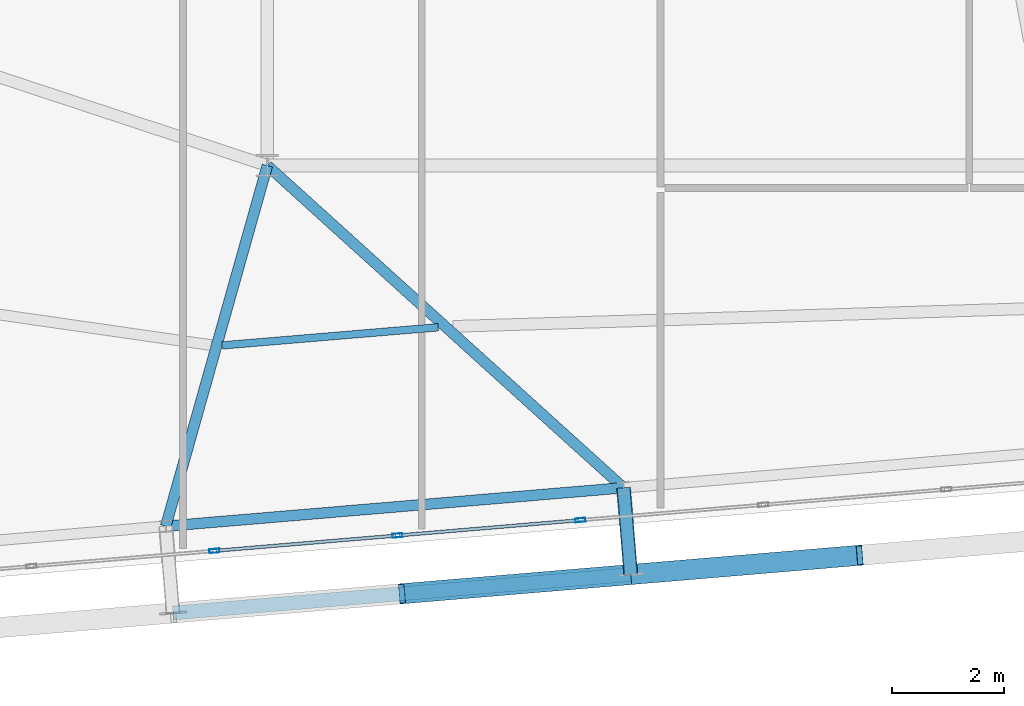
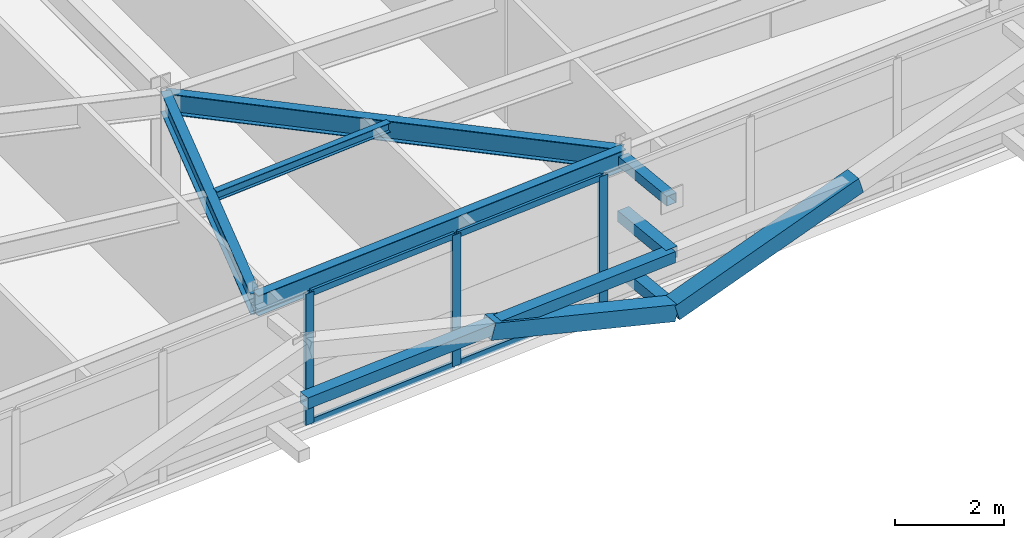
# One storey, part 11 of 44: 13 members, 4 beams, 1 element without a shape of its own.
"""IFC4 building model written with IfcOpenShell, lengths in metres."""

from ifc_helpers import new_model, si_unit, direction, frame, origin, origin_2d, place, context, subcontext, project, spatial, hollow_rectangle, i_section, extrude, source, transform, mapped, material, layer, layer_set, material_profile, profile_set, type_object, element, aggregate, save


model = new_model("IFC4")

# Units and contexts
model_context = context("Model", 3, precision=1e-05, world=origin(), true_north=direction((0.0, 1.0)))
body_context = subcontext(model_context, "Body", "Model", "MODEL_VIEW")
ifc_project = project(units=[si_unit("LENGTHUNIT", "METRE"), si_unit("AREAUNIT", "SQUARE_METRE"), si_unit("VOLUMEUNIT", "CUBIC_METRE"), si_unit("PLANEANGLEUNIT", "RADIAN"), si_unit("MASSUNIT", "GRAM", prefix="KILO")], contexts=[model_context])

# Site, building, storey
site_placement = place(None, origin())
site = spatial("IfcSite", under=ifc_project, at=site_placement, CompositionType="ELEMENT")
building_placement = place(site_placement, origin())
building = spatial("IfcBuilding", under=site, at=building_placement, Name="Taldren Reach Tower", CompositionType="ELEMENT")
storey_placement = place(building_placement, frame((0.0, 0.0, 191.449951171875)))
storey = spatial("IfcBuildingStorey", under=building, at=storey_placement, Name="L58", CompositionType="ELEMENT", Elevation=191.449951171875)

# Members
ifc_material_1 = material(Name="Steel Gr 350 (C350L0)", Category="steel")
ifc_material_profile_1 = material_profile(ifc_material_1, hollow_rectangle(XDim=0.25, YDim=0.25, WallThickness=0.010009765625, at=origin_2d()), Name="250x250x10.0SHS")
ifc_profile_set_1 = profile_set([ifc_material_profile_1], Name="Steel Gr 350 (C350L0)")
member_type_1 = type_object("IfcMemberType", Name="MB-POST250", PredefinedType="POST", material=ifc_profile_set_1)
shared_shape_1 = source(origin(), body_context, "Body", "SweptSolid", [
    extrude(hollow_rectangle(XDim=0.25, YDim=0.25, WallThickness=0.010009765625, at=origin_2d()), origin(), (0.0, 0.0, 1.0), 1.5498046875),
])
for number, where, z_axis, x_axis, name in (
    (1, (34.34228515625, 3.462890625, 0.219970703125), (0.083645141657, -0.996495604746, 0.0), (0.996495604746, 0.083645141657, 0.0), "Exoskeleton base diaphragm tie strut B4-S3 L58"),
    (2, (34.34228515625, 3.462890625, 1.43505859375), (0.083645141657, -0.996495604746, 0.0), (0.996495604746, 0.083645141657, 0.0), "Exoskeleton mid-tier diaphragm tie B4-S3 L58"),
):
    element("IfcMember", number, at=place(storey_placement, frame(where, z_axis=z_axis, x_axis=x_axis)), inside=storey, type_object=member_type_1, Name=name, PredefinedType="POST", context=body_context, shape_type="MappedRepresentation", body=[
        mapped(shared_shape_1, transform((0.0, 0.0, 0.0), scale=1.0)),
    ])

# Beams
ifc_material_2 = material(Name="Steel Gr 350 (350PLUS)", Category="steel")
ifc_material_profile_2 = material_profile(ifc_material_2, i_section(OverallWidth=0.18994140625, OverallDepth=0.4541015625, WebThickness=0.008544921875, FlangeThickness=0.0126953125, at=origin_2d()), Name="460UB67.1")
ifc_profile_set_2 = profile_set([ifc_material_profile_2], Name="Steel Gr 350 (350PLUS)")
beam_type_1 = type_object("IfcBeamType", Name="SP-UB460B", PredefinedType="SPANDREL", material=ifc_profile_set_2)
shared_shape_2 = source(origin(), body_context, "Body", "SweptSolid", [
    extrude(i_section(OverallWidth=0.18994140625, OverallDepth=0.4541015625, WebThickness=0.008544921875, FlangeThickness=0.0126953125, at=origin_2d()), origin(), (0.0, 0.0, 1.0), 8.179931640625),
])
beam_1_placement = place(storey_placement, frame((26.19091796875, 2.778564453125, 2.703125), z_axis=(0.996494523218, 0.083658025296, 0.0), x_axis=(-0.083658025296, 0.996494523218, 0.0)))
element("IfcBeam", 3, at=beam_1_placement, inside=storey, type_object=beam_type_1, Name="Perimeter spandrel B4 S2-S3 L58", PredefinedType="SPANDREL", context=body_context, shape_type="MappedRepresentation", body=[
    mapped(shared_shape_2, transform((0.0, 0.0, 0.0), scale=1.0)),
])
ifc_material_profile_3 = material_profile(ifc_material_2, i_section(OverallWidth=0.19091796875, OverallDepth=0.4599609375, WebThickness=0.010009765625, FlangeThickness=0.01611328125, at=origin_2d()), Name="460UB82.1")
ifc_profile_set_3 = profile_set([ifc_material_profile_3], Name="Steel Gr 350 (350PLUS)")
beam_type_2 = type_object("IfcBeamType", Name="BM-UB460A", PredefinedType="BEAM", material=ifc_profile_set_3)
shared_shape_3 = source(origin(), body_context, "Body", "SweptSolid", [
    extrude(i_section(OverallWidth=0.19091796875, OverallDepth=0.4599609375, WebThickness=0.010009765625, FlangeThickness=0.01611328125, at=origin_2d()), origin(), (0.0, 0.0, 1.0), 6.67138671875),
])
beam_2_placement = place(storey_placement, frame((28.0, 9.199951171875, 2.699951171875), z_axis=(-0.271171579948, -0.962531025073, 0.0), x_axis=(0.962531025073, -0.271171579948, 0.0)))
element("IfcBeam", 4, at=beam_2_placement, inside=storey, type_object=beam_type_2, Name="Primary floor girder B4-S2 L58", PredefinedType="BEAM", context=body_context, shape_type="MappedRepresentation", body=[
    mapped(shared_shape_3, transform((0.0, 0.0, 0.0), scale=1.0)),
])
shared_shape_4 = source(origin(), body_context, "Body", "SweptSolid", [
    extrude(i_section(OverallWidth=0.19091796875, OverallDepth=0.4599609375, WebThickness=0.010009765625, FlangeThickness=0.01611328125, at=origin_2d()), origin(), (0.0, 0.0, 1.0), 8.552001953125),
])
beam_3_placement = place(storey_placement, frame((28.0, 9.199951171875, 2.699951171875), z_axis=(0.741605435155, -0.670836327689, 0.0), x_axis=(0.670836327689, 0.741605435155, 0.0)))
element("IfcBeam", 5, at=beam_3_placement, inside=storey, type_object=beam_type_2, Name="Primary floor girder B4-S3 L58", PredefinedType="BEAM", context=body_context, shape_type="MappedRepresentation", body=[
    mapped(shared_shape_4, transform((0.0, 0.0, 0.0), scale=1.0)),
])
ifc_material_3 = material(Name="Steel Gr 300 (300PLUS, 300 MPa)", Category="steel")
ifc_material_profile_4 = material_profile(ifc_material_3, i_section(OverallWidth=0.134033203125, OverallDepth=0.20703125, WebThickness=0.00634765625, FlangeThickness=0.009521484375, at=origin_2d()), Name="200UB29.8")
ifc_profile_set_4 = profile_set([ifc_material_profile_4], Name="Steel Gr 300 (300PLUS, 300 MPa)")
beam_type_3 = type_object("IfcBeamType", Name="JS-UB200", PredefinedType="JOIST", material=ifc_profile_set_4)
shared_shape_5 = source(origin(), body_context, "Body", "SweptSolid", [
    extrude(i_section(OverallWidth=0.134033203125, OverallDepth=0.20703125, WebThickness=0.00634765625, FlangeThickness=0.009521484375, at=origin_2d()), origin(), (0.0, 0.0, 1.0), 3.857177734375),
])
beam_4_placement = place(storey_placement, frame((27.197021484375, 5.997802734375, 2.82666015625), z_axis=(0.996493179166, 0.083674033464, 0.0), x_axis=(-0.083674033464, 0.996493179166, 0.0)))
element("IfcBeam", 6, at=beam_4_placement, inside=storey, type_object=beam_type_3, Name="Secondary floor joist B4 J2 L58", PredefinedType="JOIST", context=body_context, shape_type="MappedRepresentation", body=[
    mapped(shared_shape_5, transform((0.0, 0.0, 0.0), scale=1.0)),
])

# Members
ifc_material_4 = material(Name="Steel Gr 450 (C450L0)", Category="steel")
ifc_material_profile_5 = material_profile(ifc_material_4, hollow_rectangle(XDim=0.219970703125, YDim=0.219970703125, WallThickness=0.00830078125, at=origin_2d()), Name="220x220x8.2SHS")
ifc_profile_set_5 = profile_set([ifc_material_profile_5], Name="Steel Gr 450 (C450L0)")
member_type_2 = type_object("IfcMemberType", Name="MB-TIE219", PredefinedType="STRUT", material=ifc_profile_set_5)
shared_shape_6 = source(origin(), body_context, "Body", "SweptSolid", [
    extrude(hollow_rectangle(XDim=0.219970703125, YDim=0.219970703125, WallThickness=0.00830078125, at=origin_2d()), origin(), (0.0, 0.0, 1.0), 1.5498046875),
])
member_1_placement = place(storey_placement, frame((34.34228515625, 3.462890625, 2.650146484375), z_axis=(0.083645141657, -0.996495604746, 0.0), x_axis=(0.996495604746, 0.083645141657, 0.0)))
element("IfcMember", 7, at=member_1_placement, inside=storey, type_object=member_type_2, Name="Exoskeleton diaphragm tie strut B4-S3 L58", PredefinedType="STRUT", context=body_context, shape_type="MappedRepresentation", body=[
    mapped(shared_shape_6, transform((0.0, 0.0, 0.0), scale=1.0)),
])
shared_shape_7 = source(origin(), body_context, "Body", "SweptSolid", [
    extrude(hollow_rectangle(XDim=0.25, YDim=0.25, WallThickness=0.010009765625, at=origin_2d()), origin(), (0.0, 0.0, 1.0), 8.18017578125),
])
member_2_placement = place(storey_placement, frame((26.320556640625, 1.23388671875, 1.43505859375), z_axis=(0.996492034688, 0.083687662192, 0.0), x_axis=(-0.083687662192, 0.996492034688, 0.0)))
element("IfcMember", 8, at=member_2_placement, inside=storey, type_object=member_type_1, Name="Exoskeleton mid-height ring chord B4-S2 L58", PredefinedType="POST", context=body_context, shape_type="MappedRepresentation", body=[
    mapped(shared_shape_7, transform((0.0, 0.0, 0.0), scale=1.0)),
])
ifc_material_profile_6 = material_profile(ifc_material_4, hollow_rectangle(XDim=0.360107421875, YDim=0.360107421875, WallThickness=0.0126953125, at=origin_2d()), Name="360x360x12.7SHS")
ifc_profile_set_6 = profile_set([ifc_material_profile_6], Name="Steel Gr 450 (C450L0)")
member_type_3 = type_object("IfcMemberType", Name="MB-EXO356", PredefinedType="BRACE", material=ifc_profile_set_6)
shared_shape_8 = source(origin(), body_context, "Body", "SweptSolid", [
    extrude(hollow_rectangle(XDim=0.360107421875, YDim=0.360107421875, WallThickness=0.0126953125, at=origin_2d()), origin(), (0.0, 0.0, 1.0), 4.2666015625),
])
for number, where, z_axis, x_axis, name in (
    (9, (34.471923828125, 1.91845703125, 0.219970703125), (-0.955229159097, -0.080222312271, 0.284783486572), (0.083687662192, -0.996492034688, 0.0), "Exoskeleton Diagrid Brace B4-S2 L58"),
    (10, (34.471923828125, 1.91845703125, 0.219970703125), (0.955229159097, 0.080222312271, 0.284783486572), (-0.083687662192, 0.996492034688, 0.0), "Exoskeleton Diagrid Brace B4-S3 L58"),
):
    element("IfcMember", number, at=place(storey_placement, frame(where, z_axis=z_axis, x_axis=x_axis)), inside=storey, type_object=member_type_3, Name=name, PredefinedType="BRACE", context=body_context, shape_type="MappedRepresentation", body=[
        mapped(shared_shape_8, transform((0.0, 0.0, 0.0), scale=1.0)),
    ])

# Curtain wall, members
ifc_material_5 = material(Name="Aluminium and Low-E Glass Unitised System", Category="aluminium")
ifc_layer = layer(ifc_material_5, 0.159912109375)
ifc_layer_set = layer_set([ifc_layer], Name="Aluminium and Low-E Glass Unitised System")
curtain_wall_type = type_object("IfcCurtainWallType", Name="CW-SYS-5", PredefinedType="NOTDEFINED", material=ifc_layer_set)
curtain_wall_placement = place(storey_placement, origin())
curtain_wall = element("IfcCurtainWall", 11, at=curtain_wall_placement, inside=storey, type_object=curtain_wall_type, Name="Unitised curtain wall CW-L58-S", PredefinedType="NOTDEFINED")
ifc_material_6 = material(Name="Anodised Aluminium 6063-T6", Category="aluminium")
ifc_material_profile_7 = material_profile(ifc_material_6, hollow_rectangle(XDim=0.070068359375, YDim=0.179931640625, WallThickness=0.00390625, at=origin_2d()), Name="ALU-180x70x4RHS")
ifc_profile_set_7 = profile_set([ifc_material_profile_7], Name="Anodised Aluminium 6063-T6")
member_type_4 = type_object("IfcMemberType", Name="CW-MUL-180", PredefinedType="MULLION", material=ifc_profile_set_7)
shared_shape_9 = source(origin(), body_context, "Body", "SweptSolid", [
    extrude(hollow_rectangle(XDim=0.070068359375, YDim=0.179931640625, WallThickness=0.00390625, at=origin_2d()), origin(), (0.0, 0.0, 1.0), 2.929931640625),
])
member_3_placement = place(storey_placement, frame((27.058349609375, 2.339599609375, 0.0), z_axis=(0.0, 0.0, 1.0), x_axis=(-0.083677894865, 0.996492854922, 0.0)))
member_3 = element("IfcMember", 12, at=member_3_placement, type_object=member_type_4, Name="CW-5 mullion 4", PredefinedType="MULLION", context=body_context, shape_type="MappedRepresentation", body=[
    mapped(shared_shape_9, transform((0.0, 0.0, 0.0), scale=1.0)),
])
member_4_placement = place(storey_placement, frame((30.316162109375, 2.613037109375, 0.0), z_axis=(0.0, 0.0, 1.0), x_axis=(-0.083677894865, 0.996492854922, 0.0)))
member_4 = element("IfcMember", 13, at=member_4_placement, type_object=member_type_4, Name="CW-5 mullion 5", PredefinedType="MULLION", context=body_context, shape_type="MappedRepresentation", body=[
    mapped(shared_shape_9, transform((0.0, 0.0, 0.0), scale=1.0)),
])
member_5_placement = place(storey_placement, frame((33.573974609375, 2.88671875, 0.0), z_axis=(0.0, 0.0, 1.0), x_axis=(-0.083677894865, 0.996492854922, 0.0)))
member_5 = element("IfcMember", 14, at=member_5_placement, type_object=member_type_4, Name="CW-5 mullion 6", PredefinedType="MULLION", context=body_context, shape_type="MappedRepresentation", body=[
    mapped(shared_shape_9, transform((0.0, 0.0, 0.0), scale=1.0)),
])
ifc_material_profile_8 = material_profile(ifc_material_6, hollow_rectangle(XDim=0.06005859375, YDim=0.135009765625, WallThickness=0.00341796875, at=origin_2d()), Name="ALU-135x60x3.5RHS")
ifc_profile_set_8 = profile_set([ifc_material_profile_8], Name="Anodised Aluminium 6063-T6")
member_type_5 = type_object("IfcMemberType", Name="CW-TRN-150", PredefinedType="USERDEFINED", material=ifc_profile_set_8)
shared_shape_10 = source(origin(), body_context, "Body", "SweptSolid", [
    extrude(hollow_rectangle(XDim=0.06005859375, YDim=0.135009765625, WallThickness=0.00341796875, at=origin_2d()), origin(), (0.0, 0.0, 1.0), 3.19921875),
])
member_6_placement = place(storey_placement, frame((27.09326171875, 2.342529296875, 0.030029296875), z_axis=(0.996496109493, 0.083639128198, 0.0), x_axis=(-0.083639128198, 0.996496109493, 0.0)))
member_6 = element("IfcMember", 15, at=member_6_placement, type_object=member_type_5, Name="CW-5 transom 4.1", ObjectType="TRANSOM", PredefinedType="USERDEFINED", context=body_context, shape_type="MappedRepresentation", body=[
    mapped(shared_shape_10, transform((0.0, 0.0, 0.0), scale=1.0)),
])
member_7_placement = place(storey_placement, frame((27.09326171875, 2.342529296875, 2.900146484375), z_axis=(0.996496109493, 0.083639128198, 0.0), x_axis=(-0.083639128198, 0.996496109493, 0.0)))
member_7 = element("IfcMember", 16, at=member_7_placement, type_object=member_type_5, Name="CW-5 transom 4.2", ObjectType="TRANSOM", PredefinedType="USERDEFINED", context=body_context, shape_type="MappedRepresentation", body=[
    mapped(shared_shape_10, transform((0.0, 0.0, 0.0), scale=1.0)),
])
member_8_placement = place(storey_placement, frame((30.35107421875, 2.615966796875, 0.030029296875), z_axis=(0.996489746258, 0.083714906697, 0.0), x_axis=(-0.083714906697, 0.996489746258, 0.0)))
member_8 = element("IfcMember", 17, at=member_8_placement, type_object=member_type_5, Name="CW-5 transom 5.1", ObjectType="TRANSOM", PredefinedType="USERDEFINED", context=body_context, shape_type="MappedRepresentation", body=[
    mapped(shared_shape_10, transform((0.0, 0.0, 0.0), scale=1.0)),
])
member_9_placement = place(storey_placement, frame((30.35107421875, 2.615966796875, 2.900146484375), z_axis=(0.996489746258, 0.083714906697, 0.0), x_axis=(-0.083714906697, 0.996489746258, 0.0)))
member_9 = element("IfcMember", 18, at=member_9_placement, type_object=member_type_5, Name="CW-5 transom 5.2", ObjectType="TRANSOM", PredefinedType="USERDEFINED", context=body_context, shape_type="MappedRepresentation", body=[
    mapped(shared_shape_10, transform((0.0, 0.0, 0.0), scale=1.0)),
])
aggregate(curtain_wall, [member_3, member_4, member_5, member_6, member_7, member_8, member_9])

save(model, "model.ifc")
